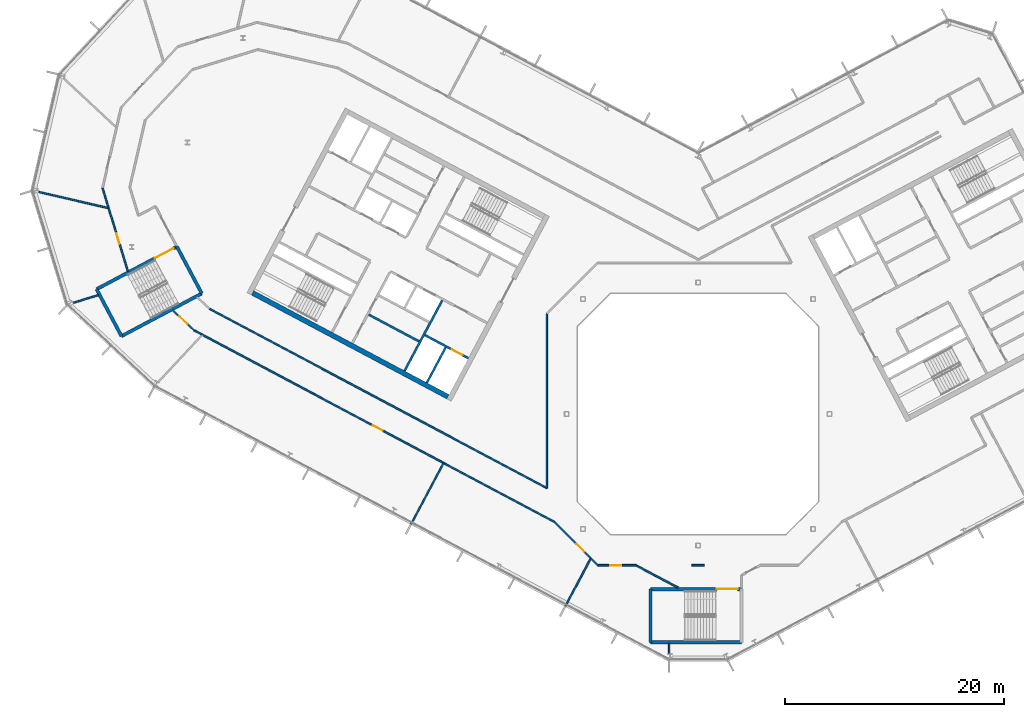
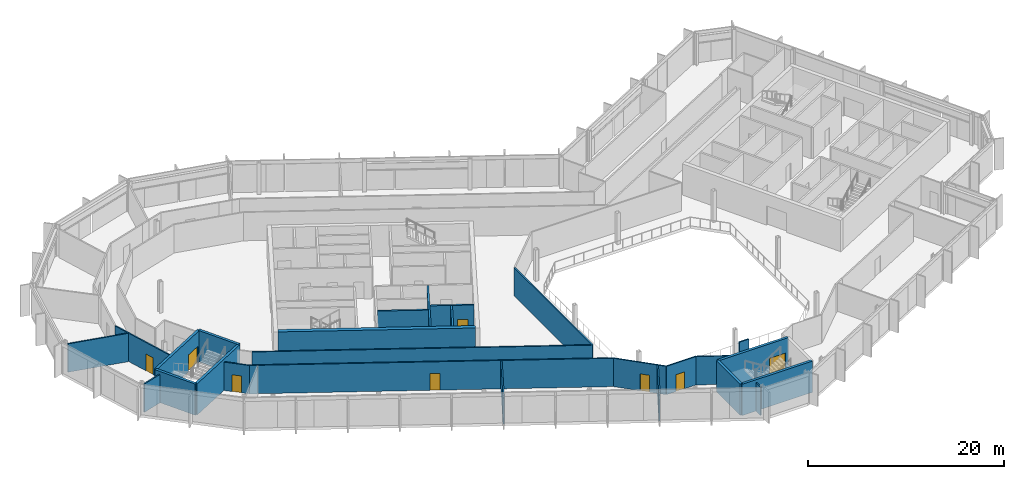
# One storey, part 13 of 26: 29 walls, 8 doors, 8 openings.
"""IFC4 building model written with IfcOpenShell, lengths in metres."""

from ifc_helpers import new_model, si_unit, direction, frame, frame_2d, origin, place, context, subcontext, project, spatial, rectangle, extrude, material, layer, layer_set, type_object, element, fill, save


model = new_model("IFC4")

# Units and contexts
model_context = context("Model", 3, precision=1e-05, world=origin(), true_north=direction((0.0, 1.0)))
body_context = subcontext(model_context, "Body", "Model", "MODEL_VIEW")
ifc_project = project(units=[si_unit("LENGTHUNIT", "METRE"), si_unit("AREAUNIT", "SQUARE_METRE"), si_unit("VOLUMEUNIT", "CUBIC_METRE"), si_unit("PLANEANGLEUNIT", "RADIAN"), si_unit("MASSUNIT", "GRAM", prefix="KILO")], contexts=[model_context])

# Site, building, storey
site_placement = place(None, origin())
site = spatial("IfcSite", under=ifc_project, at=site_placement, CompositionType="ELEMENT")
building_placement = place(site_placement, origin())
building = spatial("IfcBuilding", under=site, at=building_placement, Name="Cormorant Relay Tower", CompositionType="ELEMENT")
storey_placement = place(building_placement, frame((0.0, 0.0, 285.300048828125)))
storey = spatial("IfcBuildingStorey", under=building, at=storey_placement, Name="L64", CompositionType="ELEMENT", Elevation=285.300048828125)

# Walls
ifc_material_1 = material(Name="Concrete 40 MPa", Category="concrete")
ifc_layer_1 = layer(ifc_material_1, 0.199951171875)
ifc_layer_set_1 = layer_set([ifc_layer_1], Name="Core internal wall 200")
wall_type_1 = type_object("IfcWallType", Name="Core internal wall 200", PredefinedType="SOLIDWALL", material=ifc_layer_set_1)
wall_1_placement = place(storey_placement, frame((-25.46728515625, 6.632568359375, 0.0), z_axis=(0.0, 0.0, 1.0), x_axis=(-0.882953967957, 0.469459572775, 0.0)))
element("IfcWall", 1, at=wall_1_placement, inside=storey, type_object=wall_type_1, Name="L64 core A shaft and room wall", PredefinedType="SOLIDWALL", context=body_context, shape_type="SweptSolid", body=[
    extrude(rectangle(XDim=5.199951171875, YDim=0.199951171875, at=frame_2d((2.60009765625, 0.0))), origin(), (0.0, 0.0, 1.0), 3.89990234375),
])
ifc_material_2 = material(Name="Concrete 50 MPa", Category="concrete")
ifc_layer_2 = layer(ifc_material_2, 0.199951171875)
ifc_layer_set_2 = layer_set([ifc_layer_2], Name="Core shaft wall 200")
wall_type_2 = type_object("IfcWallType", Name="Core shaft wall 200", PredefinedType="SHEAR", material=ifc_layer_set_2)
wall_2_placement = place(storey_placement, frame((-23.04296875, 6.07958984375, 0.0), z_axis=(0.0, 0.0, 1.0), x_axis=(-0.469494272526, -0.882935517501, 0.0)))
element("IfcWall", 2, at=wall_2_placement, inside=storey, type_object=wall_type_2, Name="L64 core A shaft wall", PredefinedType="SHEAR", context=body_context, shape_type="SweptSolid", body=[
    extrude(rectangle(XDim=3.64990234375, YDim=0.199951171875, at=frame_2d((1.824951171875, 0.0))), origin(), (0.0, 0.0, 1.0), 3.89990234375),
])
wall_3_placement = place(storey_placement, frame((-23.360107421875, 10.38232421875, 0.0), z_axis=(0.0, 0.0, 1.0), x_axis=(-0.469480409012, -0.88294288918, 0.0)))
element("IfcWall", 3, at=wall_3_placement, inside=storey, type_object=wall_type_2, Name="L64 core A shaft wall", PredefinedType="SHEAR", context=body_context, shape_type="SweptSolid", body=[
    extrude(rectangle(XDim=7.300048828125, YDim=0.199951171875, at=frame_2d((3.64990234375, 0.0))), origin(), (0.0, 0.0, 1.0), 3.89990234375),
])

# Wall, opening, door
wall_4_placement = place(storey_placement, frame((-20.96533203125, 5.088134765625, 0.0), z_axis=(0.0, 0.0, 1.0), x_axis=(-0.882925986334, 0.469512196493, 0.0)))
wall_4 = element("IfcWall", 4, at=wall_4_placement, inside=storey, type_object=wall_type_2, Name="L64 core A shaft wall", PredefinedType="SHEAR", context=body_context, shape_type="SweptSolid", body=[
    extrude(rectangle(XDim=4.5, YDim=0.199951171875, at=frame_2d((2.25, 0.0))), origin(), (0.0, 0.0, 1.0), 3.89990234375),
])
opening_1_placement = place(wall_4_placement, frame((0.60009765625, 0.0, 0.0)))
opening_1 = element("IfcOpeningElement", 5, at=opening_1_placement, cuts=wall_4, Name="Opening LD1-063", PredefinedType="OPENING", context=body_context, shape_type="SweptSolid", body=[
    extrude(rectangle(XDim=1.10009765625, YDim=2.10009765625, at=frame_2d((0.550048828125, 1.050048828125))), frame((0.0, 0.10986328125, 0.0), z_axis=(0.0, -1.0, 0.0), x_axis=(1.0, 0.0, 0.0)), (0.0, 0.0, 1.0), 0.219970703125),
])
ifc_material_3 = material(Name="Stainless steel 316", Category="steel")
door_type_1 = type_object("IfcDoorType", Name="Lift landing door 1100x2100", OperationType="DOUBLE_DOOR_SLIDING", PredefinedType="DOOR", material=ifc_material_3)
door_1_placement = place(opening_1_placement, origin())
door_1 = element("IfcDoor", 6, at=door_1_placement, inside=storey, type_object=door_type_1, Name="FF1 landing door", OperationType="DOUBLE_DOOR_SLIDING", OverallHeight=2.10009765625, OverallWidth=1.10009765625, PredefinedType="DOOR", context=body_context, shape_type="SweptSolid", body=[
    extrude(rectangle(XDim=1.10009765625, YDim=2.10009765625, at=frame_2d((0.550048828125, 1.050048828125))), frame((0.0, 0.02490234375, 0.0), z_axis=(0.0, -1.0, 0.0), x_axis=(1.0, 0.0, 0.0)), (0.0, 0.0, 1.0), 0.050048828125),
])
fill(opening_1, door_1)

# Walls
ifc_material_4 = material(Name="Concrete 50 MPa", Category="concrete")
ifc_layer_3 = layer(ifc_material_4, 0.449951171875)
ifc_layer_set_3 = layer_set([ifc_layer_3], Name="Core wall 450")
wall_type_3 = type_object("IfcWallType", Name="Core wall 450", PredefinedType="SHEAR", material=ifc_layer_set_3)
wall_5_placement = place(storey_placement, frame((-22.83154296875, 1.578369140625, 0.0), z_axis=(0.0, 0.0, 1.0), x_axis=(-0.88294509198, 0.469476266226, 0.0)))
element("IfcWall", 7, at=wall_5_placement, inside=storey, type_object=wall_type_3, Name="L64 core A wall", PredefinedType="SHEAR", context=body_context, shape_type="SweptSolid", body=[
    extrude(rectangle(XDim=20.199951171875, YDim=0.449951171875, at=frame_2d((10.10009765625, 0.0))), origin(), (0.0, 0.0, 1.0), 3.89990234375),
])
ifc_material_5 = material(Name="Gypsum board fire partition")
ifc_layer_4 = layer(ifc_material_5, 0.14990234375)
ifc_layer_set_4 = layer_set([ifc_layer_4], Name="Corridor partition 150 EI 60")
wall_type_4 = type_object("IfcWallType", Name="Corridor partition 150 EI 60", PredefinedType="PARTITIONING", material=ifc_layer_set_4)
wall_6_placement = place(storey_placement, frame((-54.35693359375, 20.615966796875, 0.0), z_axis=(0.0, 0.0, 1.0), x_axis=(0.29225817084, -0.956339459385, 0.0)))
element("IfcWall", 8, at=wall_6_placement, inside=storey, type_object=wall_type_4, Name="wall/L64/part/005", PredefinedType="PARTITIONING", context=body_context, shape_type="SweptSolid", body=[
    extrude(rectangle(XDim=1.8779296875, YDim=0.14990234375, at=frame_2d((0.93896484375, 0.0))), origin(), (0.0, 0.0, 1.0), 3.5400390625),
])

# Wall, opening, door
wall_7_placement = place(storey_placement, frame((-52.0380859375, 13.031005859375, 0.0), z_axis=(0.0, 0.0, 1.0), x_axis=(-0.29239066517, 0.956298958967, 0.0)))
wall_7 = element("IfcWall", 9, at=wall_7_placement, inside=storey, type_object=wall_type_4, Name="wall/L64/part/006", PredefinedType="PARTITIONING", context=body_context, shape_type="SweptSolid", body=[
    extrude(rectangle(XDim=6.0537109375, YDim=0.14990234375, at=frame_2d((3.02685546875, 0.0))), origin(), (0.0, 0.0, 1.0), 3.5400390625),
])
opening_2_placement = place(wall_7_placement, frame((2.60009765625, 0.0, 0.0)))
opening_2 = element("IfcOpeningElement", 10, at=opening_2_placement, cuts=wall_7, Name="Opening DS-227", PredefinedType="OPENING", context=body_context, shape_type="SweptSolid", body=[
    extrude(rectangle(XDim=1.0, YDim=2.10009765625, at=frame_2d((0.5, 1.050048828125))), frame((0.0, 0.0849609375, 0.0), z_axis=(0.0, -1.0, 0.0), x_axis=(1.0, 0.0, 0.0)), (0.0, 0.0, 1.0), 0.169921875),
])
ifc_material_6 = material(Name="Timber door leaf", Category="wood")
door_type_2 = type_object("IfcDoorType", Name="Suite door 1000x2100", OperationType="SINGLE_SWING_LEFT", PredefinedType="DOOR", material=ifc_material_6)
door_2_placement = place(opening_2_placement, origin())
door_2 = element("IfcDoor", 11, at=door_2_placement, inside=storey, type_object=door_type_2, Name="door/L64/012", OperationType="SINGLE_SWING_LEFT", OverallHeight=2.10009765625, OverallWidth=1.0, PredefinedType="DOOR", context=body_context, shape_type="SweptSolid", body=[
    extrude(rectangle(XDim=1.0, YDim=2.10009765625, at=frame_2d((0.5, 1.050048828125))), frame((0.0, 0.02490234375, 0.0), z_axis=(0.0, -1.0, 0.0), x_axis=(1.0, 0.0, 0.0)), (0.0, 0.0, 1.0), 0.050048828125),
])
fill(opening_2, door_2)

# Walls
wall_8_placement = place(storey_placement, frame((-13.800048828125, 9.159912109375, 0.0), z_axis=(0.0, 0.0, 1.0), x_axis=(0.0, -1.0, 0.0)))
element("IfcWall", 12, at=wall_8_placement, inside=storey, type_object=wall_type_4, Name="wall/L64/part/029", PredefinedType="PARTITIONING", context=body_context, shape_type="SweptSolid", body=[
    extrude(rectangle(XDim=15.9228515625, YDim=0.14990234375, at=frame_2d((7.96142578125, 0.0))), origin(), (0.0, 0.0, 1.0), 3.5400390625),
])
wall_9_placement = place(storey_placement, frame((-13.800048828125, -6.762939453125, 0.0), z_axis=(0.0, 0.0, 1.0), x_axis=(-0.882949839356, 0.469467337716, 0.0)))
element("IfcWall", 13, at=wall_9_placement, inside=storey, type_object=wall_type_4, Name="wall/L64/part/030", PredefinedType="PARTITIONING", context=body_context, shape_type="SweptSolid", body=[
    extrude(rectangle(XDim=34.864990234375, YDim=0.14990234375, at=frame_2d((17.4326171875, 0.0))), origin(), (0.0, 0.0, 1.0), 3.5400390625),
])
wall_10_placement = place(storey_placement, frame((-45.299072265625, 7.26708984375, 0.0), z_axis=(0.0, 0.0, 1.0), x_axis=(-0.882897191907, 0.469566340918, 0.0)))
element("IfcWall", 14, at=wall_10_placement, inside=storey, type_object=wall_type_4, Name="wall/L64/part/032", PredefinedType="PARTITIONING", context=body_context, shape_type="SweptSolid", body=[
    extrude(rectangle(XDim=0.781494140625, YDim=0.14990234375, at=frame_2d((0.390625, 0.0))), origin(), (0.0, 0.0, 1.0), 3.5400390625),
])

# Wall, opening, door
wall_11_placement = place(storey_placement, frame((-45.989013671875, 7.634033203125, 0.0), z_axis=(0.0, 0.0, 1.0), x_axis=(-0.731461293005, 0.681882964178, 0.0)))
wall_11 = element("IfcWall", 15, at=wall_11_placement, inside=storey, type_object=wall_type_4, Name="wall/L64/part/033", PredefinedType="PARTITIONING", context=body_context, shape_type="SweptSolid", body=[
    extrude(rectangle(XDim=2.698486328125, YDim=0.14990234375, at=frame_2d((1.34912109375, 0.0))), origin(), (0.0, 0.0, 1.0), 3.5400390625),
])
opening_3_placement = place(wall_11_placement, frame((0.85009765625, 0.0, 0.0)))
opening_3 = element("IfcOpeningElement", 16, at=opening_3_placement, cuts=wall_11, Name="Opening DS-228", PredefinedType="OPENING", context=body_context, shape_type="SweptSolid", body=[
    extrude(rectangle(XDim=1.0, YDim=2.10009765625, at=frame_2d((0.5, 1.050048828125))), frame((0.0, 0.0849609375, 0.0), z_axis=(0.0, -1.0, 0.0), x_axis=(1.0, 0.0, 0.0)), (0.0, 0.0, 1.0), 0.169921875),
])
door_3_placement = place(opening_3_placement, origin())
door_3 = element("IfcDoor", 17, at=door_3_placement, inside=storey, type_object=door_type_2, Name="door/L64/013", OperationType="SINGLE_SWING_RIGHT", OverallHeight=2.10009765625, OverallWidth=1.0, PredefinedType="DOOR", context=body_context, shape_type="SweptSolid", body=[
    extrude(rectangle(XDim=1.0, YDim=2.10009765625, at=frame_2d((0.5, 1.050048828125))), frame((0.0, 0.02490234375, 0.0), z_axis=(0.0, -1.0, 0.0), x_axis=(1.0, 0.0, 0.0)), (0.0, 0.0, 1.0), 0.050048828125),
])
fill(opening_3, door_3)

wall_12_placement = place(storey_placement, frame((-9.7900390625, -13.169921875, 0.0), z_axis=(0.0, 0.0, 1.0), x_axis=(-0.707106781187, 0.707106781187, 0.0)))
wall_12 = element("IfcWall", 18, at=wall_12_placement, inside=storey, type_object=wall_type_4, Name="wall/L64/part/034", PredefinedType="PARTITIONING", context=body_context, shape_type="SweptSolid", body=[
    extrude(rectangle(XDim=4.700927734375, YDim=0.14990234375, at=frame_2d((2.3505859375, 0.0))), origin(), (0.0, 0.0, 1.0), 3.5400390625),
])
opening_4_placement = place(wall_12_placement, frame((0.85107421875, 0.0, 0.0)))
opening_4 = element("IfcOpeningElement", 19, at=opening_4_placement, cuts=wall_12, Name="Opening DS-230", PredefinedType="OPENING", context=body_context, shape_type="SweptSolid", body=[
    extrude(rectangle(XDim=1.0, YDim=2.10009765625, at=frame_2d((0.5, 1.050048828125))), frame((0.0, 0.0849609375, 0.0), z_axis=(0.0, -1.0, 0.0), x_axis=(1.0, 0.0, 0.0)), (0.0, 0.0, 1.0), 0.169921875),
])
door_4_placement = place(opening_4_placement, origin())
door_4 = element("IfcDoor", 20, at=door_4_placement, inside=storey, type_object=door_type_2, Name="door/L64/015", OperationType="SINGLE_SWING_LEFT", OverallHeight=2.10009765625, OverallWidth=1.0, PredefinedType="DOOR", context=body_context, shape_type="SweptSolid", body=[
    extrude(rectangle(XDim=1.0, YDim=2.10009765625, at=frame_2d((0.5, 1.050048828125))), frame((0.0, 0.02490234375, 0.0), z_axis=(0.0, -1.0, 0.0), x_axis=(1.0, 0.0, 0.0)), (0.0, 0.0, 1.0), 0.050048828125),
])
fill(opening_4, door_4)

wall_13_placement = place(storey_placement, frame((-13.114013671875, -9.845947265625, 0.0), z_axis=(0.0, 0.0, 1.0), x_axis=(-0.88294829908, 0.469470234575, 0.0)))
wall_13 = element("IfcWall", 21, at=wall_13_placement, inside=storey, type_object=wall_type_4, Name="wall/L64/part/035", PredefinedType="PARTITIONING", context=body_context, shape_type="SweptSolid", body=[
    extrude(rectangle(XDim=36.451904296875, YDim=0.14990234375, at=frame_2d((18.22607421875, 0.0))), origin(), (0.0, 0.0, 1.0), 3.5400390625),
])
opening_5_placement = place(wall_13_placement, frame((17.75, 0.0, 0.0)))
opening_5 = element("IfcOpeningElement", 22, at=opening_5_placement, cuts=wall_13, Name="Opening DS-229", PredefinedType="OPENING", context=body_context, shape_type="SweptSolid", body=[
    extrude(rectangle(XDim=1.0, YDim=2.10009765625, at=frame_2d((0.5, 1.050048828125))), frame((0.0, 0.0849609375, 0.0), z_axis=(0.0, -1.0, 0.0), x_axis=(1.0, 0.0, 0.0)), (0.0, 0.0, 1.0), 0.169921875),
])
door_5_placement = place(opening_5_placement, origin())
door_5 = element("IfcDoor", 23, at=door_5_placement, inside=storey, type_object=door_type_2, Name="door/L64/014", OperationType="SINGLE_SWING_LEFT", OverallHeight=2.10009765625, OverallWidth=1.0, PredefinedType="DOOR", context=body_context, shape_type="SweptSolid", body=[
    extrude(rectangle(XDim=1.0, YDim=2.10009765625, at=frame_2d((0.5, 1.050048828125))), frame((0.0, 0.02490234375, 0.0), z_axis=(0.0, -1.0, 0.0), x_axis=(1.0, 0.0, 0.0)), (0.0, 0.0, 1.0), 0.050048828125),
])
fill(opening_5, door_5)

wall_14_placement = place(storey_placement, frame((-5.626953125, -13.800048828125, 0.0), z_axis=(0.0, 0.0, 1.0), x_axis=(-1.0, 0.0, 0.0)))
wall_14 = element("IfcWall", 24, at=wall_14_placement, inside=storey, type_object=wall_type_4, Name="wall/L64/part/048", PredefinedType="PARTITIONING", context=body_context, shape_type="SweptSolid", body=[
    extrude(rectangle(XDim=3.532958984375, YDim=0.14990234375, at=frame_2d((1.7666015625, 0.0))), origin(), (0.0, 0.0, 1.0), 3.5400390625),
])
opening_6_placement = place(wall_14_placement, frame((1.402099609375, 0.0, 0.0)))
opening_6 = element("IfcOpeningElement", 25, at=opening_6_placement, cuts=wall_14, Name="Opening DS-231", PredefinedType="OPENING", context=body_context, shape_type="SweptSolid", body=[
    extrude(rectangle(XDim=1.0, YDim=2.10009765625, at=frame_2d((0.5, 1.050048828125))), frame((0.0, 0.0849609375, 0.0), z_axis=(0.0, -1.0, 0.0), x_axis=(1.0, 0.0, 0.0)), (0.0, 0.0, 1.0), 0.169921875),
])
door_6_placement = place(opening_6_placement, origin())
door_6 = element("IfcDoor", 26, at=door_6_placement, inside=storey, type_object=door_type_2, Name="door/L64/016", OperationType="SINGLE_SWING_LEFT", OverallHeight=2.10009765625, OverallWidth=1.0, PredefinedType="DOOR", context=body_context, shape_type="SweptSolid", body=[
    extrude(rectangle(XDim=1.0, YDim=2.10009765625, at=frame_2d((0.5, 1.050048828125))), frame((0.0, 0.02490234375, 0.0), z_axis=(0.0, -1.0, 0.0), x_axis=(1.0, 0.0, 0.0)), (0.0, 0.0, 1.0), 0.050048828125),
])
fill(opening_6, door_6)

# Walls
wall_15_placement = place(storey_placement, frame((-9.159912109375, -13.800048828125, 0.0), z_axis=(0.0, 0.0, 1.0), x_axis=(-0.707106781187, 0.707106781187, 0.0)))
element("IfcWall", 27, at=wall_15_placement, inside=storey, type_object=wall_type_4, Name="wall/L64/part/049", PredefinedType="PARTITIONING", context=body_context, shape_type="SweptSolid", body=[
    extrude(rectangle(XDim=0.89111328125, YDim=0.14990234375, at=frame_2d((0.445556640625, 0.0))), origin(), (0.0, 0.0, 1.0), 3.5400390625),
])
wall_16_placement = place(storey_placement, frame((-1.823974609375, -15.847900390625, 0.0), z_axis=(0.0, 0.0, 1.0), x_axis=(-0.883027323354, 0.469321580807, 0.0)))
element("IfcWall", 28, at=wall_16_placement, inside=storey, type_object=wall_type_4, Name="wall/L64/part/050", PredefinedType="PARTITIONING", context=body_context, shape_type="SweptSolid", body=[
    extrude(rectangle(XDim=4.363525390625, YDim=0.14990234375, at=frame_2d((2.181640625, 0.0))), origin(), (0.0, 0.0, 1.0), 3.5400390625),
])
wall_17_placement = place(storey_placement, frame((0.56494140625, -13.800048828125, 0.0), z_axis=(0.0, 0.0, 1.0), x_axis=(-1.0, 0.0, 0.0)))
element("IfcWall", 29, at=wall_17_placement, inside=storey, type_object=wall_type_4, Name="wall/L64/part/072", PredefinedType="PARTITIONING", context=body_context, shape_type="SweptSolid", body=[
    extrude(rectangle(XDim=1.1298828125, YDim=0.14990234375, at=frame_2d((0.56494140625, 0.0))), origin(), (0.0, 0.0, 1.0), 3.5400390625),
])
ifc_material_7 = material(Name="Concrete 50 MPa", Category="concrete")
ifc_layer_5 = layer(ifc_material_7, 0.300048828125)
ifc_layer_set_5 = layer_set([ifc_layer_5], Name="Remote stair wall 300")
wall_type_5 = type_object("IfcWallType", Name="Remote stair wall 300", PredefinedType="SHEAR", material=ifc_layer_set_5)
wall_18_placement = place(storey_placement, frame((3.949951171875, -20.824951171875, 0.0), z_axis=(0.0, 0.0, 1.0), x_axis=(-1.0, 0.0, 0.0)))
element("IfcWall", 30, at=wall_18_placement, inside=storey, type_object=wall_type_5, Name="L64 exit stair RK1 wall", PredefinedType="SHEAR", context=body_context, shape_type="SweptSolid", body=[
    extrude(rectangle(XDim=8.300048828125, YDim=0.300048828125, at=frame_2d((4.14990234375, 0.0))), origin(), (0.0, 0.0, 1.0), 3.89990234375),
])
wall_19_placement = place(storey_placement, frame((-4.35009765625, -20.824951171875, 0.0), z_axis=(0.0, 0.0, 1.0), x_axis=(0.0, 1.0, 0.0)))
element("IfcWall", 31, at=wall_19_placement, inside=storey, type_object=wall_type_5, Name="L64 exit stair RK1 wall", PredefinedType="SHEAR", context=body_context, shape_type="SweptSolid", body=[
    extrude(rectangle(XDim=4.849853515625, YDim=0.300048828125, at=frame_2d((2.4248046875, 0.0))), origin(), (0.0, 0.0, 1.0), 3.89990234375),
])

# Wall, opening, door
wall_20_placement = place(storey_placement, frame((-4.35009765625, -15.97509765625, 0.0), z_axis=(0.0, 0.0, 1.0), x_axis=(1.0, 0.0, 0.0)))
wall_20 = element("IfcWall", 32, at=wall_20_placement, inside=storey, type_object=wall_type_5, Name="L64 exit stair RK1 wall", PredefinedType="SHEAR", context=body_context, shape_type="SweptSolid", body=[
    extrude(rectangle(XDim=8.300048828125, YDim=0.300048828125, at=frame_2d((4.14990234375, 0.0))), origin(), (0.0, 0.0, 1.0), 3.89990234375),
])
opening_7_placement = place(wall_20_placement, frame((6.050048828125, 0.0, 0.0)))
opening_7 = element("IfcOpeningElement", 33, at=opening_7_placement, cuts=wall_20, Name="Opening CDE-014", PredefinedType="OPENING", context=body_context, shape_type="SweptSolid", body=[
    extrude(rectangle(XDim=1.89990234375, YDim=2.10009765625, at=frame_2d((0.949951171875, 1.050048828125))), frame((0.0, 0.159912109375, 0.0), z_axis=(0.0, -1.0, 0.0), x_axis=(1.0, 0.0, 0.0)), (0.0, 0.0, 1.0), 0.320068359375),
])
ifc_material_8 = material(Name="Steel fire door", Category="steel")
door_type_3 = type_object("IfcDoorType", Name="Remote stair door 1900x2100", OperationType="DOUBLE_DOOR_SINGLE_SWING", PredefinedType="DOOR", material=ifc_material_8)
door_7_placement = place(opening_7_placement, frame((1.89990234375, 0.0, 0.0), z_axis=(0.0, 0.0, 1.0), x_axis=(-1.0, 0.0, 0.0)))
door_7 = element("IfcDoor", 34, at=door_7_placement, inside=storey, type_object=door_type_3, Name="Exit stair RK1 door", OperationType="DOUBLE_DOOR_SINGLE_SWING", OverallHeight=2.10009765625, OverallWidth=1.89990234375, PredefinedType="DOOR", context=body_context, shape_type="SweptSolid", body=[
    extrude(rectangle(XDim=1.89990234375, YDim=2.10009765625, at=frame_2d((0.949951171875, 1.050048828125))), frame((0.0, 0.02490234375, 0.0), z_axis=(0.0, -1.0, 0.0), x_axis=(1.0, 0.0, 0.0)), (0.0, 0.0, 1.0), 0.050048828125),
])
fill(opening_7, door_7)

# Walls
wall_21_placement = place(storey_placement, frame((-47.57421875, 15.28955078125, 0.0), z_axis=(0.0, 0.0, 1.0), x_axis=(0.469443498566, -0.882962514297, 0.0)))
element("IfcWall", 35, at=wall_21_placement, inside=storey, type_object=wall_type_5, Name="L64 exit stair RP1 wall", PredefinedType="SHEAR", context=body_context, shape_type="SweptSolid", body=[
    extrude(rectangle(XDim=4.85009765625, YDim=0.300048828125, at=frame_2d((2.425048828125, 0.0))), origin(), (0.0, 0.0, 1.0), 3.89990234375),
])
wall_22_placement = place(storey_placement, frame((-45.29736328125, 11.007080078125, 0.0), z_axis=(0.0, 0.0, 1.0), x_axis=(-0.882951519127, -0.469464178475, 0.0)))
element("IfcWall", 36, at=wall_22_placement, inside=storey, type_object=wall_type_5, Name="L64 exit stair RP1 wall", PredefinedType="SHEAR", context=body_context, shape_type="SweptSolid", body=[
    extrude(rectangle(XDim=8.2998046875, YDim=0.300048828125, at=frame_2d((4.14990234375, 0.0))), origin(), (0.0, 0.0, 1.0), 3.89990234375),
])
wall_23_placement = place(storey_placement, frame((-52.625732421875, 7.110595703125, 0.0), z_axis=(0.0, 0.0, 1.0), x_axis=(-0.469464364128, 0.882951420416, 0.0)))
element("IfcWall", 37, at=wall_23_placement, inside=storey, type_object=wall_type_5, Name="L64 exit stair RP1 wall", PredefinedType="SHEAR", context=body_context, shape_type="SweptSolid", body=[
    extrude(rectangle(XDim=4.849853515625, YDim=0.300048828125, at=frame_2d((2.4248046875, 0.0))), origin(), (0.0, 0.0, 1.0), 3.89990234375),
])

# Wall, opening, door
wall_24_placement = place(storey_placement, frame((-54.902587890625, 11.392822265625, 0.0), z_axis=(0.0, 0.0, 1.0), x_axis=(0.882939326045, 0.469487110071, 0.0)))
wall_24 = element("IfcWall", 38, at=wall_24_placement, inside=storey, type_object=wall_type_5, Name="L64 exit stair RP1 wall", PredefinedType="SHEAR", context=body_context, shape_type="SweptSolid", body=[
    extrude(rectangle(XDim=8.300048828125, YDim=0.300048828125, at=frame_2d((4.14990234375, 0.0))), origin(), (0.0, 0.0, 1.0), 3.89990234375),
])
opening_8_placement = place(wall_24_placement, frame((6.050048828125, 0.0, 0.0)))
opening_8 = element("IfcOpeningElement", 39, at=opening_8_placement, cuts=wall_24, Name="Opening CDE-015", PredefinedType="OPENING", context=body_context, shape_type="SweptSolid", body=[
    extrude(rectangle(XDim=1.89990234375, YDim=2.10009765625, at=frame_2d((0.949951171875, 1.050048828125))), frame((0.0, 0.159912109375, 0.0), z_axis=(0.0, -1.0, 0.0), x_axis=(1.0, 0.0, 0.0)), (0.0, 0.0, 1.0), 0.320068359375),
])
door_8_placement = place(opening_8_placement, frame((1.89990234375, 0.0, 0.0), z_axis=(0.0, 0.0, 1.0), x_axis=(-1.0, 0.0, 0.0)))
door_8 = element("IfcDoor", 40, at=door_8_placement, inside=storey, type_object=door_type_3, Name="Exit stair RP1 door", OperationType="DOUBLE_DOOR_SINGLE_SWING", OverallHeight=2.10009765625, OverallWidth=1.89990234375, PredefinedType="DOOR", context=body_context, shape_type="SweptSolid", body=[
    extrude(rectangle(XDim=1.89990234375, YDim=2.10009765625, at=frame_2d((0.949951171875, 1.050048828125))), frame((0.0, 0.02490234375, 0.0), z_axis=(0.0, -1.0, 0.0), x_axis=(1.0, 0.0, 0.0)), (0.0, 0.0, 1.0), 0.050048828125),
])
fill(opening_8, door_8)

# Walls
ifc_material_9 = material(Name="Gypsum board partition")
ifc_layer_6 = layer(ifc_material_9, 0.14990234375)
ifc_layer_set_6 = layer_set([ifc_layer_6], Name="Tenant partition 150")
wall_type_6 = type_object("IfcWallType", Name="Tenant partition 150", PredefinedType="PARTITIONING", material=ifc_layer_set_6)
wall_25_placement = place(storey_placement, frame((-53.800048828125, 18.7958984375, 0.0), z_axis=(0.0, 0.0, 1.0), x_axis=(-0.974354729311, 0.225017469254, 0.0)))
element("IfcWall", 41, at=wall_25_placement, inside=storey, type_object=wall_type_6, Name="wall/L64/part/001", PredefinedType="PARTITIONING", context=body_context, shape_type="SweptSolid", body=[
    extrude(rectangle(XDim=6.546875, YDim=0.14990234375, at=frame_2d((3.2734375, 0.0))), origin(), (0.0, 0.0, 1.0), 3.5400390625),
])
wall_26_placement = place(storey_placement, frame((-54.73193359375, 10.85693359375, 0.0), z_axis=(0.0, 0.0, 1.0), x_axis=(-0.956231519395, -0.292611143525, 0.0)))
element("IfcWall", 42, at=wall_26_placement, inside=storey, type_object=wall_type_6, Name="wall/L64/part/003", PredefinedType="PARTITIONING", context=body_context, shape_type="SweptSolid", body=[
    extrude(rectangle(XDim=2.385498046875, YDim=0.14990234375, at=frame_2d((1.19287109375, 0.0))), origin(), (0.0, 0.0, 1.0), 3.5400390625),
])
wall_27_placement = place(storey_placement, frame((-23.23291015625, -4.466064453125, 0.0), z_axis=(0.0, 0.0, 1.0), x_axis=(-0.469528158273, -0.882917498178, 0.0)))
element("IfcWall", 43, at=wall_27_placement, inside=storey, type_object=wall_type_6, Name="wall/L64/part/013", PredefinedType="PARTITIONING", context=body_context, shape_type="SweptSolid", body=[
    extrude(rectangle(XDim=6.349365234375, YDim=0.14990234375, at=frame_2d((3.1748046875, 0.0))), origin(), (0.0, 0.0, 1.0), 3.5400390625),
])
wall_28_placement = place(storey_placement, frame((-9.7939453125, -13.1650390625, 0.0), z_axis=(0.0, 0.0, 1.0), x_axis=(-0.469669090987, -0.882842536906, 0.0)))
element("IfcWall", 44, at=wall_28_placement, inside=storey, type_object=wall_type_6, Name="wall/L64/part/046", PredefinedType="PARTITIONING", context=body_context, shape_type="SweptSolid", body=[
    extrude(rectangle(XDim=4.978271484375, YDim=0.14990234375, at=frame_2d((2.4892578125, 0.0))), origin(), (0.0, 0.0, 1.0), 3.5400390625),
])
wall_29_placement = place(storey_placement, frame((-2.64892578125, -20.925048828125, 0.0), z_axis=(0.0, 0.0, 1.0), x_axis=(0.0, -1.0, 0.0)))
element("IfcWall", 45, at=wall_29_placement, inside=storey, type_object=wall_type_6, Name="wall/L64/part/051", PredefinedType="PARTITIONING", context=body_context, shape_type="SweptSolid", body=[
    extrude(rectangle(XDim=0.966064453125, YDim=0.14990234375, at=frame_2d((0.48291015625, 0.0))), origin(), (0.0, 0.0, 1.0), 3.5400390625),
])

save(model, "model.ifc")
